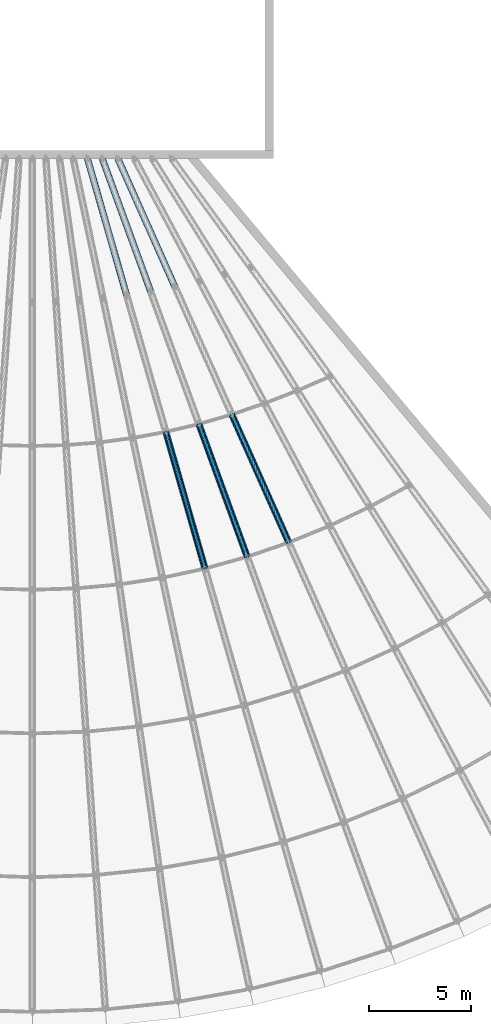
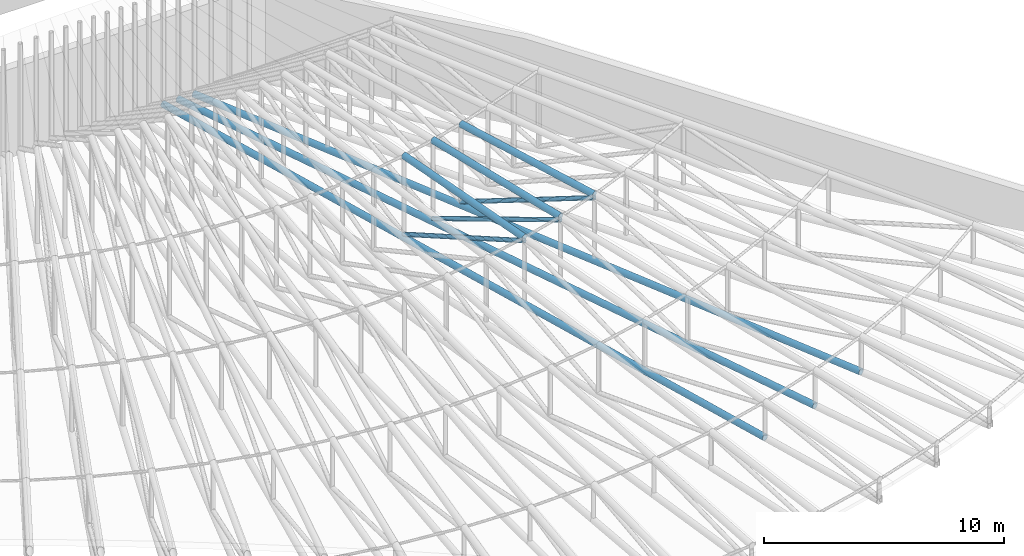
# One storey, part 38 of 163: 9 members.
"""IFC4 building model written with IfcOpenShell, lengths in metres."""

import ifcopenshell
import ifcopenshell.guid

model = None  # the IFC model being written
_history = None  # IfcOwnerHistory: only IFC2X3 demands one
_inside = {}  # id of a spatial element -> (the spatial element, [elements in it])
_under = {}  # id of a project, library or spatial element -> (it, [spatial elements below it])
_declared = {}  # id of a project -> (the project, [libraries it declares])
_typed = {}  # id of a type object -> (the type object, [elements of that type])
_made_of = {}  # id of a material, layer set ... -> (it, [elements and type objects made of it])


def new_model(schema):
    """Start an empty IFC model of exactly this schema.

    Asked for "IFC4X3", IfcOpenShell would pick the latest addendum, in which some entities
    have other attributes; the version numbers below select the first issue.
    IFC2X3 requires an IfcOwnerHistory on every rooted entity: one is made here for all.
    """
    global model, _history
    if schema == "IFC4X3":
        model = ifcopenshell.file(schema_version=(4, 3, 0, 0))
    else:
        model = ifcopenshell.file(schema=schema)
    _inside.clear()
    _under.clear()
    _declared.clear()
    _typed.clear()
    _made_of.clear()
    _history = None
    if model.schema == "IFC2X3":
        org = make("IfcOrganization", Name="unknown")
        user = make(
            "IfcPersonAndOrganization",
            ThePerson=make("IfcPerson", FamilyName="unknown"),
            TheOrganization=org,
        )
        app = make(
            "IfcApplication",
            ApplicationDeveloper=org,
            Version="unknown",
            ApplicationFullName="unknown",
            ApplicationIdentifier="unknown",
        )
        _history = make(
            "IfcOwnerHistory",
            OwningUser=user,
            OwningApplication=app,
            ChangeAction="ADDED",
            CreationDate=0,
        )
    return model


def make(cls, **values):
    """One entity of the class cls with the attributes given. An attribute that is None is left unset."""
    return model.create_entity(
        cls, **{name: value for name, value in values.items() if value is not None}
    )


def rooted(cls, **values):
    """An entity with a GlobalId (a new one), such as an element, a storey or a relation."""
    return make(cls, GlobalId=ifcopenshell.guid.new(), OwnerHistory=_history, **values)


def si_unit(unit_type, name, prefix=None):
    """IfcSIUnit, for example si_unit("LENGTHUNIT", "METRE", prefix="MILLI")."""
    return make("IfcSIUnit", UnitType=unit_type, Prefix=prefix, Name=name)


def assignment(units):
    """IfcUnitAssignment: the units of a project."""
    return None if units is None else make("IfcUnitAssignment", Units=units)


def point(xyz):
    """IfcCartesianPoint."""
    return None if xyz is None else make("IfcCartesianPoint", Coordinates=xyz)


def direction(xyz):
    """IfcDirection."""
    return None if xyz is None else make("IfcDirection", DirectionRatios=xyz)


def frame(location, z_axis=None, x_axis=None):
    """IfcAxis2Placement3D, a coordinate frame: its origin and axes. An axis left out is left unset."""
    return make(
        "IfcAxis2Placement3D",
        Location=point(location),
        Axis=direction(z_axis),
        RefDirection=direction(x_axis),
    )


def frame_2d(location, x_axis=None):
    """IfcAxis2Placement2D, a coordinate frame in the plane: its origin and x axis."""
    return make(
        "IfcAxis2Placement2D", Location=point(location), RefDirection=direction(x_axis)
    )


def origin():
    """The frame at (0, 0, 0) with its axes left unset."""
    return frame((0.0, 0.0, 0.0))


def origin_2d():
    """The frame at (0, 0) in the plane with its x axis left unset."""
    return frame_2d((0.0, 0.0))


def place(relative_to, where):
    """IfcLocalPlacement: puts the frame where relative to a parent placement (None: the world)."""
    return make(
        "IfcLocalPlacement", PlacementRelTo=relative_to, RelativePlacement=where
    )


def context(
    kind, dimensions, precision=None, world=None, true_north=None, identifier=None
):
    """IfcGeometricRepresentationContext, for example the 3D "Model" context."""
    return make(
        "IfcGeometricRepresentationContext",
        ContextIdentifier=identifier,
        ContextType=kind,
        CoordinateSpaceDimension=dimensions,
        Precision=precision,
        WorldCoordinateSystem=world,
        TrueNorth=true_north,
    )


def subcontext(parent, identifier, kind, view, scale=None):
    """IfcGeometricRepresentationSubContext, for example "Body" below "Model"."""
    return make(
        "IfcGeometricRepresentationSubContext",
        ContextIdentifier=identifier,
        ContextType=kind,
        ParentContext=parent,
        TargetScale=scale,
        TargetView=view,
    )


def project(units=None, contexts=None):
    """IfcProject with its units and contexts."""
    return rooted(
        "IfcProject",
        Name="project",
        RepresentationContexts=contexts,
        UnitsInContext=assignment(units),
    )


def spatial(cls, under=None, at=None, **own):
    """A site, building, storey or space (cls), placed at a placement, below another one or the project."""
    s = rooted(cls, ObjectPlacement=at, **own)
    if under is not None:
        _under.setdefault(under.id(), (under, []))[1].append(s)
    return s


def profile(cls, at=None, kind="AREA", **sizes):
    """A parametric profile (cls). Its sizes go by their IFC names, for example OverallWidth=200.0."""
    return make(cls, ProfileType=kind, Position=at, **sizes)


def hollow_circle(**sizes):
    """IfcCircleHollowProfileDef."""
    return profile("IfcCircleHollowProfileDef", **sizes)


def extrude(swept, where, along, depth):
    """IfcExtrudedAreaSolid: the profile swept, set in the frame where, extruded along a direction by depth."""
    return make(
        "IfcExtrudedAreaSolid",
        SweptArea=swept,
        Position=where,
        ExtrudedDirection=direction(along),
        Depth=depth,
    )


def shape(context_of_items, identifier, shape_type, items):
    """IfcShapeRepresentation: the items that make up one representation, for example the "Body"."""
    return make(
        "IfcShapeRepresentation",
        ContextOfItems=context_of_items,
        RepresentationIdentifier=identifier,
        RepresentationType=shape_type,
        Items=items,
    )


def material(Name=None, Category=None):
    """IfcMaterial."""
    return make("IfcMaterial", Name=Name, Category=Category)


def material_profile(
    of_material, cross_section, Name=None, Category=None, Priority=None
):
    """IfcMaterialProfile: a cross section and its material."""
    return make(
        "IfcMaterialProfile",
        Name=Name,
        Material=of_material,
        Profile=cross_section,
        Priority=Priority,
        Category=Category,
    )


def profile_set(profiles, Name=None, composite=None):
    """IfcMaterialProfileSet."""
    return make(
        "IfcMaterialProfileSet",
        Name=Name,
        MaterialProfiles=profiles,
        CompositeProfile=composite,
    )


def made_of(thing, what):
    """Note that an element or type object is made of a material, layer set ...; save() writes the relation."""
    if what is not None:
        _made_of.setdefault(what.id(), (what, []))[1].append(thing)
    return thing


def type_object(cls, material=None, **own):
    """A type object (cls), such as IfcWallType, which elements share."""
    return made_of(rooted(cls, **own), material)


def element(
    cls,
    number,
    at=None,
    inside=None,
    cuts=None,
    type_object=None,
    material=None,
    context=None,
    identifier="Body",
    shape_type=None,
    held_by="IfcProductDefinitionShape",
    body=None,
    shapes=None,
    **own,
):
    """One element of the class cls, such as IfcWall. Its Tag is "e" and its number.

    at: its placement. inside: the storey or other place that contains it. cuts: it is an
    opening in that element (IfcRelVoidsElement). A single representation is given by context,
    identifier, shape_type and body (its items); several are given by shapes. held_by: the class
    of the entity that holds the representations. save() writes the other relations.
    """
    e = rooted(cls, Tag="e%d" % number, ObjectPlacement=at, **own)
    if body is not None:
        shapes = [shape(context, identifier, shape_type, body)]
    if shapes is not None:
        e.Representation = make(held_by, Representations=shapes)
    if inside is not None:
        _inside.setdefault(inside.id(), (inside, []))[1].append(e)
    if cuts is not None:
        rooted(
            "IfcRelVoidsElement", RelatingBuildingElement=cuts, RelatedOpeningElement=e
        )
    if type_object is not None:
        _typed.setdefault(type_object.id(), (type_object, []))[1].append(e)
    return made_of(e, material)


def aggregate(whole, parts):
    """IfcRelAggregates: a whole, such as a stair, and the parts it consists of."""
    return rooted("IfcRelAggregates", RelatingObject=whole, RelatedObjects=parts)


def save(model, path):
    """Write the relations noted so far, then the file.

    IfcRelAggregates (storeys below a building ...), IfcRelContainedInSpatialStructure (elements
    in a storey), IfcRelDefinesByType, IfcRelAssociatesMaterial and IfcRelDeclares: one each for
    every whole, place, type object, material and project.
    """
    for whole, parts in _under.values():
        aggregate(whole, parts)
    for where, things in _inside.values():
        rooted(
            "IfcRelContainedInSpatialStructure",
            RelatedElements=things,
            RelatingStructure=where,
        )
    for kind, things in _typed.values():
        rooted("IfcRelDefinesByType", RelatedObjects=things, RelatingType=kind)
    for what, things in _made_of.values():
        rooted("IfcRelAssociatesMaterial", RelatedObjects=things, RelatingMaterial=what)
    for by, libraries in _declared.values():
        rooted("IfcRelDeclares", RelatingContext=by, RelatedDefinitions=libraries)
    model.write(path)


model = new_model("IFC4")

# Units and contexts
model_context = context("Model", 3, precision=1e-05, world=origin(), true_north=direction((0.0, 1.0)))
body_context = subcontext(model_context, "Body", "Model", "MODEL_VIEW")
ifc_project = project(units=[si_unit("LENGTHUNIT", "METRE"), si_unit("AREAUNIT", "SQUARE_METRE"), si_unit("VOLUMEUNIT", "CUBIC_METRE"), si_unit("PLANEANGLEUNIT", "RADIAN"), si_unit("MASSUNIT", "GRAM", prefix="KILO")], contexts=[model_context])

# Site, building, storey
site_placement = place(None, origin())
site = spatial("IfcSite", under=ifc_project, at=site_placement, CompositionType="ELEMENT")
building_placement = place(site_placement, origin())
building = spatial("IfcBuilding", under=site, at=building_placement, Name="Rain Tree Exposition and Congress Centre", CompositionType="ELEMENT")
storey_placement = place(building_placement, frame((0.0, 0.0, 10.5)))
storey = spatial("IfcBuildingStorey", under=building, at=storey_placement, Name="L02", CompositionType="ELEMENT", Elevation=10.5)

# Members
ifc_material_1 = material(Name="Steel S355J2H", Category="steel")
ifc_material_profile_1 = material_profile(ifc_material_1, hollow_circle(Radius=0.108154296875, WallThickness=0.008056640625, at=origin_2d()), Name="CHS 216x8")
ifc_profile_set_1 = profile_set([ifc_material_profile_1], Name="Steel S355J2H")
member_type_1 = type_object("IfcMemberType", Name="Steel brace member CHS 216x8", PredefinedType="BRACE", material=ifc_profile_set_1)
member_1_placement = place(storey_placement, frame((210.052978515625, 37.720703125, 3.3779296875), z_axis=(-0.252376552036, 0.880125120055, -0.402101789391), x_axis=(-0.961260325696, -0.275642134374, 0.0)))
element("IfcMember", 1, at=member_1_placement, inside=storey, type_object=member_type_1, Name="TD14-4", PredefinedType="BRACE", context=body_context, shape_type="SweptSolid", body=[
    extrude(hollow_circle(Radius=0.108154296875, WallThickness=0.008056640625, at=origin_2d()), origin(), (0.0, 0.0, 1.0), 7.6083984375),
])
member_2_placement = place(storey_placement, frame((212.119384765625, 38.2978515625, 3.367919921875), z_axis=(-0.312976929359, 0.859944139343, -0.403164381982), x_axis=(-0.9396986404, -0.342003604118, 0.0)))
element("IfcMember", 2, at=member_2_placement, inside=storey, type_object=member_type_1, Name="TD15-4", PredefinedType="BRACE", context=body_context, shape_type="SweptSolid", body=[
    extrude(hollow_circle(Radius=0.108154296875, WallThickness=0.008056640625, at=origin_2d()), origin(), (0.0, 0.0, 1.0), 7.5634765625),
])
member_3_placement = place(storey_placement, frame((214.156494140625, 38.99755859375, 3.35498046875), z_axis=(-0.371977625984, 0.835453421073, -0.404537052672), x_axis=(-0.913541476776, -0.406745584131, 0.0)))
element("IfcMember", 3, at=member_3_placement, inside=storey, type_object=member_type_1, Name="TD16-4", PredefinedType="BRACE", context=body_context, shape_type="SweptSolid", body=[
    extrude(hollow_circle(Radius=0.108154296875, WallThickness=0.008056640625, at=origin_2d()), origin(), (0.0, 0.0, 1.0), 7.505859375),
])
ifc_material_2 = material(Name="Steel S355J2H", Category="steel")
ifc_material_profile_2 = material_profile(ifc_material_2, hollow_circle(Radius=0.1591796875, WallThickness=0.010009765625, at=origin_2d()), Name="CHS 318x10")
ifc_profile_set_2 = profile_set([ifc_material_profile_2], Name="Steel S355J2H")
member_type_2 = type_object("IfcMemberType", Name="Steel chord member CHS 318x10", PredefinedType="CHORD", material=ifc_profile_set_2)
member_4_placement = place(storey_placement, frame((213.893310546875, 24.32763671875, 0.1591796875), z_axis=(-0.275634705683, 0.961262455848, 0.0), x_axis=(-0.961262455848, -0.275634705683, 0.0)))
element("IfcMember", 4, at=member_4_placement, inside=storey, type_object=member_type_2, Name="TC14-2", PredefinedType="CHORD", context=body_context, shape_type="SweptSolid", body=[
    extrude(hollow_circle(Radius=0.1591796875, WallThickness=0.010009765625, at=origin_2d()), origin(), (0.0, 0.0, 1.0), 34.831787109375),
])
member_5_placement = place(storey_placement, frame((210.052978515625, 37.720703125, 3.538818359375), z_axis=(-0.273914225811, 0.955234505473, 0.111794617273), x_axis=(-0.961260325696, -0.275642134374, 0.0)))
element("IfcMember", 5, at=member_5_placement, inside=storey, type_object=member_type_2, Name="TT14-4", PredefinedType="CHORD", context=body_context, shape_type="SweptSolid", body=[
    extrude(hollow_circle(Radius=0.1591796875, WallThickness=0.010009765625, at=origin_2d()), origin(), (0.0, 0.0, 1.0), 7.010009765625),
])
member_6_placement = place(storey_placement, frame((216.85400390625, 25.289794921875, 0.1591796875), z_axis=(-0.342020597353, 0.939692455533, 0.0), x_axis=(-0.939692455533, -0.342020597353, 0.0)))
element("IfcMember", 6, at=member_6_placement, inside=storey, type_object=member_type_2, Name="TC15-2", PredefinedType="CHORD", context=body_context, shape_type="SweptSolid", body=[
    extrude(hollow_circle(Radius=0.1591796875, WallThickness=0.010009765625, at=origin_2d()), origin(), (0.0, 0.0, 1.0), 34.607421875),
])
member_7_placement = place(storey_placement, frame((212.119384765625, 38.2978515625, 3.52880859375), z_axis=(-0.339858945896, 0.933805917659, 0.111814154023), x_axis=(-0.9396986404, -0.342003604118, 0.0)))
element("IfcMember", 7, at=member_7_placement, inside=storey, type_object=member_type_2, Name="TT15-4", PredefinedType="CHORD", context=body_context, shape_type="SweptSolid", body=[
    extrude(hollow_circle(Radius=0.1591796875, WallThickness=0.010009765625, at=origin_2d()), origin(), (0.0, 0.0, 1.0), 6.965087890625),
])
member_8_placement = place(storey_placement, frame((219.740478515625, 26.455810546875, 0.1591796875), z_axis=(-0.406734361251, 0.913546473573, 0.0), x_axis=(-0.913546473573, -0.406734361251, 0.0)))
element("IfcMember", 8, at=member_8_placement, inside=storey, type_object=member_type_2, Name="TC16-2", PredefinedType="CHORD", context=body_context, shape_type="SweptSolid", body=[
    extrude(hollow_circle(Radius=0.1591796875, WallThickness=0.010009765625, at=origin_2d()), origin(), (0.0, 0.0, 1.0), 34.321533203125),
])
member_9_placement = place(storey_placement, frame((214.156494140625, 38.99755859375, 3.51611328125), z_axis=(-0.404197475358, 0.907818481513, 0.111758693344), x_axis=(-0.913541476776, -0.406745584131, 0.0)))
element("IfcMember", 9, at=member_9_placement, inside=storey, type_object=member_type_2, Name="TT16-4", PredefinedType="CHORD", context=body_context, shape_type="SweptSolid", body=[
    extrude(hollow_circle(Radius=0.1591796875, WallThickness=0.010009765625, at=origin_2d()), origin(), (0.0, 0.0, 1.0), 6.907470703125),
])

save(model, "model.ifc")
